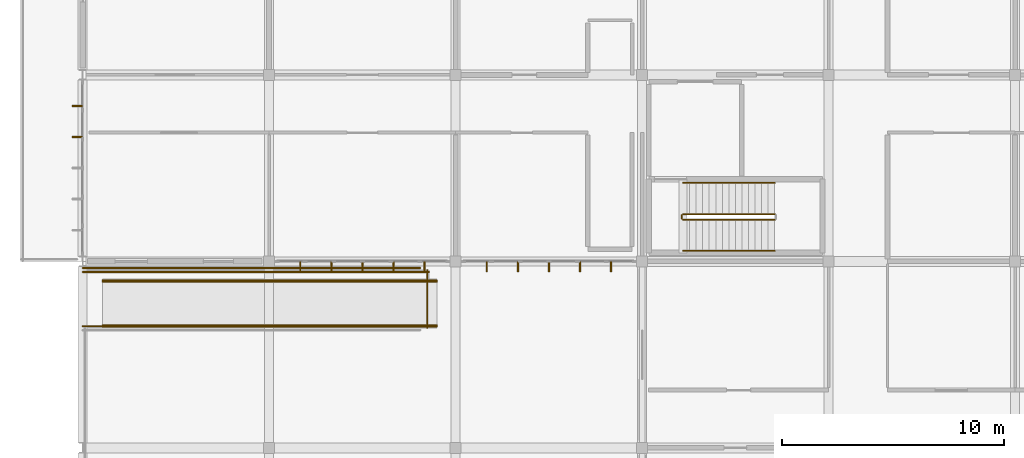
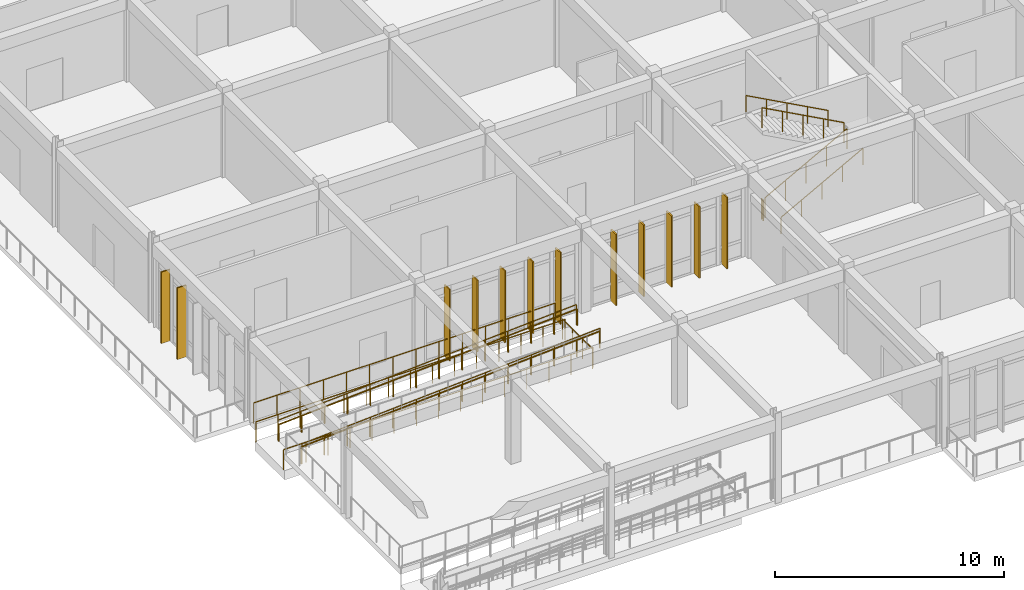
# One storey, part 116 of 138: 13 railings, 12 shading devices.
"""IFC4 building model written with IfcOpenShell, lengths in metres."""

from ifc_helpers import new_model, si_unit, direction, frame, origin, origin_2d, place, context, subcontext, project, spatial, rectangle, circle, extrude, material, material_profile, profile_set, type_object, element, save


model = new_model("IFC4")

# Units and contexts
model_context = context("Model", 3, precision=1e-05, world=origin(), true_north=direction((0.0, 1.0)))
body_context = subcontext(model_context, "Body", "Model", "MODEL_VIEW")
ifc_project = project(units=[si_unit("LENGTHUNIT", "METRE"), si_unit("AREAUNIT", "SQUARE_METRE"), si_unit("VOLUMEUNIT", "CUBIC_METRE"), si_unit("PLANEANGLEUNIT", "RADIAN"), si_unit("MASSUNIT", "GRAM", prefix="KILO")], contexts=[model_context])

# Site, building, storey
site_placement = place(None, origin())
site = spatial("IfcSite", under=ifc_project, at=site_placement, CompositionType="ELEMENT")
building_placement = place(site_placement, origin())
building = spatial("IfcBuilding", under=site, at=building_placement, Name="Bramfleet General Hospital", CompositionType="ELEMENT")
storey_placement = place(building_placement, origin())
storey = spatial("IfcBuildingStorey", under=building, at=storey_placement, Name="L00", CompositionType="ELEMENT", Elevation=0.0)

# Railings
ifc_material_1 = material(Name="Stainless steel 1.4401 safety balustrade", Category="steel")
railing_type_1 = type_object("IfcRailingType", Name="RAIL-EXT-GUARD", PredefinedType="GUARDRAIL", material=ifc_material_1)
railing_1_placement = place(storey_placement, frame((15.199951171875, 16.5, 0.0)))
element("IfcRailing", 1, at=railing_1_placement, inside=storey, type_object=railing_type_1, Name="L00 Flood-Plinth Guard 228", PredefinedType="GUARDRAIL", context=body_context, shape_type="SweptSolid", body=[
    extrude(circle(Radius=0.02392578125, at=origin_2d()), frame((0.0, 0.0, 1.076171875), z_axis=(-1.0, 0.0, 0.0), x_axis=(0.0, -1.0, 0.0)), (0.0, 0.0, 1.0), 15.199951171875),
    extrude(circle(Radius=0.02099609375, at=origin_2d()), origin(), (0.0, 0.0, 1.0), 1.052001953125),
    extrude(circle(Radius=0.02099609375, at=origin_2d()), frame((-1.169189453125, 0.0, 0.0)), (0.0, 0.0, 1.0), 1.052001953125),
    extrude(circle(Radius=0.02099609375, at=origin_2d()), frame((-2.33837890625, 0.0, 0.0)), (0.0, 0.0, 1.0), 1.052001953125),
    extrude(circle(Radius=0.02099609375, at=origin_2d()), frame((-3.507568359375, 0.0, 0.0)), (0.0, 0.0, 1.0), 1.052001953125),
    extrude(circle(Radius=0.02099609375, at=origin_2d()), frame((-4.677001953125, 0.0, 0.0)), (0.0, 0.0, 1.0), 1.052001953125),
    extrude(circle(Radius=0.02099609375, at=origin_2d()), frame((-5.84619140625, 0.0, 0.0)), (0.0, 0.0, 1.0), 1.052001953125),
    extrude(circle(Radius=0.02099609375, at=origin_2d()), frame((-7.015380859375, 0.0, 0.0)), (0.0, 0.0, 1.0), 1.052001953125),
    extrude(circle(Radius=0.02099609375, at=origin_2d()), frame((-8.1845703125, 0.0, 0.0)), (0.0, 0.0, 1.0), 1.052001953125),
    extrude(circle(Radius=0.02099609375, at=origin_2d()), frame((-9.353759765625, 0.0, 0.0)), (0.0, 0.0, 1.0), 1.052001953125),
    extrude(circle(Radius=0.02099609375, at=origin_2d()), frame((-10.52294921875, 0.0, 0.0)), (0.0, 0.0, 1.0), 1.052001953125),
    extrude(circle(Radius=0.02099609375, at=origin_2d()), frame((-11.6923828125, 0.0, 0.0)), (0.0, 0.0, 1.0), 1.052001953125),
    extrude(circle(Radius=0.02099609375, at=origin_2d()), frame((-12.861572265625, 0.0, 0.0)), (0.0, 0.0, 1.0), 1.052001953125),
    extrude(circle(Radius=0.02099609375, at=origin_2d()), frame((-14.03076171875, 0.0, 0.0)), (0.0, 0.0, 1.0), 1.052001953125),
    extrude(circle(Radius=0.02099609375, at=origin_2d()), frame((-15.199951171875, 0.0, 0.0)), (0.0, 0.0, 1.0), 1.052001953125),
])
railing_2_placement = place(storey_placement, frame((0.0, 13.8798828125, -0.89990234375)))
element("IfcRailing", 2, at=railing_2_placement, inside=storey, type_object=railing_type_1, Name="Ramp Pocket Guard 4.253", PredefinedType="GUARDRAIL", context=body_context, shape_type="SweptSolid", body=[
    extrude(circle(Radius=0.02392578125, at=origin_2d()), frame((0.0, 0.0, 1.076171875), z_axis=(1.0, 0.0, 0.0), x_axis=(0.0, 1.0, 0.0)), (0.0, 0.0, 1.0), 15.60009765625),
    extrude(circle(Radius=0.02099609375, at=origin_2d()), origin(), (0.0, 0.0, 1.0), 1.052001953125),
    extrude(circle(Radius=0.02099609375, at=origin_2d()), frame((1.1142578125, 0.0, 0.0)), (0.0, 0.0, 1.0), 1.052001953125),
    extrude(circle(Radius=0.02099609375, at=origin_2d()), frame((2.228515625, 0.0, 0.0)), (0.0, 0.0, 1.0), 1.052001953125),
    extrude(circle(Radius=0.02099609375, at=origin_2d()), frame((3.3427734375, 0.0, 0.0)), (0.0, 0.0, 1.0), 1.052001953125),
    extrude(circle(Radius=0.02099609375, at=origin_2d()), frame((4.457275390625, 0.0, 0.0)), (0.0, 0.0, 1.0), 1.052001953125),
    extrude(circle(Radius=0.02099609375, at=origin_2d()), frame((5.571533203125, 0.0, 0.0)), (0.0, 0.0, 1.0), 1.052001953125),
    extrude(circle(Radius=0.02099609375, at=origin_2d()), frame((6.685791015625, 0.0, 0.0)), (0.0, 0.0, 1.0), 1.052001953125),
    extrude(circle(Radius=0.02099609375, at=origin_2d()), frame((7.800048828125, 0.0, 0.0)), (0.0, 0.0, 1.0), 1.052001953125),
    extrude(circle(Radius=0.02099609375, at=origin_2d()), frame((8.914306640625, 0.0, 0.0)), (0.0, 0.0, 1.0), 1.052001953125),
    extrude(circle(Radius=0.02099609375, at=origin_2d()), frame((10.028564453125, 0.0, 0.0)), (0.0, 0.0, 1.0), 1.052001953125),
    extrude(circle(Radius=0.02099609375, at=origin_2d()), frame((11.142822265625, 0.0, 0.0)), (0.0, 0.0, 1.0), 1.052001953125),
    extrude(circle(Radius=0.02099609375, at=origin_2d()), frame((12.25732421875, 0.0, 0.0)), (0.0, 0.0, 1.0), 1.052001953125),
    extrude(circle(Radius=0.02099609375, at=origin_2d()), frame((13.37158203125, 0.0, 0.0)), (0.0, 0.0, 1.0), 1.052001953125),
    extrude(circle(Radius=0.02099609375, at=origin_2d()), frame((14.48583984375, 0.0, 0.0)), (0.0, 0.0, 1.0), 1.052001953125),
    extrude(circle(Radius=0.02099609375, at=origin_2d()), frame((15.60009765625, 0.0, 0.0)), (0.0, 0.0, 1.0), 1.052001953125),
])
railing_3_placement = place(storey_placement, frame((15.52001953125, 13.800048828125, -0.89990234375)))
element("IfcRailing", 3, at=railing_3_placement, inside=storey, type_object=railing_type_1, Name="Ramp Pocket Guard 4.254", PredefinedType="GUARDRAIL", context=body_context, shape_type="SweptSolid", body=[
    extrude(circle(Radius=0.02392578125, at=origin_2d()), frame((0.0, 0.0, 1.076171875), z_axis=(0.0, 1.0, 0.0), x_axis=(-1.0, 0.0, 0.0)), (0.0, 0.0, 1.0), 2.599853515625),
    extrude(circle(Radius=0.02099609375, at=origin_2d()), origin(), (0.0, 0.0, 1.0), 1.052001953125),
    extrude(circle(Radius=0.02099609375, at=origin_2d()), frame((0.0, 0.86669921875, 0.0)), (0.0, 0.0, 1.0), 1.052001953125),
    extrude(circle(Radius=0.02099609375, at=origin_2d()), frame((0.0, 1.733154296875, 0.0)), (0.0, 0.0, 1.0), 1.052001953125),
    extrude(circle(Radius=0.02099609375, at=origin_2d()), frame((0.0, 2.599853515625, 0.0)), (0.0, 0.0, 1.0), 1.052001953125),
])
railing_4_placement = place(storey_placement, frame((15.60009765625, 16.320068359375, -0.89990234375)))
element("IfcRailing", 4, at=railing_4_placement, inside=storey, type_object=railing_type_1, Name="Ramp Pocket Guard 4.255", PredefinedType="GUARDRAIL", context=body_context, shape_type="SweptSolid", body=[
    extrude(circle(Radius=0.02392578125, at=origin_2d()), frame((0.0, 0.0, 1.076171875), z_axis=(-1.0, 0.0, 0.0), x_axis=(0.0, -1.0, 0.0)), (0.0, 0.0, 1.0), 15.60009765625),
    extrude(circle(Radius=0.02099609375, at=origin_2d()), origin(), (0.0, 0.0, 1.0), 1.052001953125),
    extrude(circle(Radius=0.02099609375, at=origin_2d()), frame((-1.1142578125, 0.0, 0.0)), (0.0, 0.0, 1.0), 1.052001953125),
    extrude(circle(Radius=0.02099609375, at=origin_2d()), frame((-2.228515625, 0.0, 0.0)), (0.0, 0.0, 1.0), 1.052001953125),
    extrude(circle(Radius=0.02099609375, at=origin_2d()), frame((-3.3427734375, 0.0, 0.0)), (0.0, 0.0, 1.0), 1.052001953125),
    extrude(circle(Radius=0.02099609375, at=origin_2d()), frame((-4.457275390625, 0.0, 0.0)), (0.0, 0.0, 1.0), 1.052001953125),
    extrude(circle(Radius=0.02099609375, at=origin_2d()), frame((-5.571533203125, 0.0, 0.0)), (0.0, 0.0, 1.0), 1.052001953125),
    extrude(circle(Radius=0.02099609375, at=origin_2d()), frame((-6.685791015625, 0.0, 0.0)), (0.0, 0.0, 1.0), 1.052001953125),
    extrude(circle(Radius=0.02099609375, at=origin_2d()), frame((-7.800048828125, 0.0, 0.0)), (0.0, 0.0, 1.0), 1.052001953125),
    extrude(circle(Radius=0.02099609375, at=origin_2d()), frame((-8.914306640625, 0.0, 0.0)), (0.0, 0.0, 1.0), 1.052001953125),
    extrude(circle(Radius=0.02099609375, at=origin_2d()), frame((-10.028564453125, 0.0, 0.0)), (0.0, 0.0, 1.0), 1.052001953125),
    extrude(circle(Radius=0.02099609375, at=origin_2d()), frame((-11.142822265625, 0.0, 0.0)), (0.0, 0.0, 1.0), 1.052001953125),
    extrude(circle(Radius=0.02099609375, at=origin_2d()), frame((-12.25732421875, 0.0, 0.0)), (0.0, 0.0, 1.0), 1.052001953125),
    extrude(circle(Radius=0.02099609375, at=origin_2d()), frame((-13.37158203125, 0.0, 0.0)), (0.0, 0.0, 1.0), 1.052001953125),
    extrude(circle(Radius=0.02099609375, at=origin_2d()), frame((-14.48583984375, 0.0, 0.0)), (0.0, 0.0, 1.0), 1.052001953125),
    extrude(circle(Radius=0.02099609375, at=origin_2d()), frame((-15.60009765625, 0.0, 0.0)), (0.0, 0.0, 1.0), 1.052001953125),
])
railing_5_placement = place(storey_placement, frame((0.89990234375, 13.860107421875, -0.89990234375)))
element("IfcRailing", 5, at=railing_5_placement, inside=storey, type_object=railing_type_1, Name="Emergency Pedestrian Plinth Ramp Guardrail R", PredefinedType="GUARDRAIL", context=body_context, shape_type="SweptSolid", body=[
    extrude(circle(Radius=0.02392578125, at=origin_2d()), frame((0.0, 0.0, 1.076171875), z_axis=(0.998217119233, 0.0, 0.059687376129), x_axis=(0.0, 1.0, 0.0)), (0.0, 0.0, 1.0), 15.076904296875),
    extrude(circle(Radius=0.02099609375, at=origin_2d()), origin(), (0.0, 0.0, 1.0), 1.052001953125),
    extrude(circle(Radius=0.02099609375, at=origin_2d()), frame((1.15771484375, 0.0, 0.0693359375)), (0.0, 0.0, 1.0), 1.052001953125),
    extrude(circle(Radius=0.02099609375, at=origin_2d()), frame((2.3154296875, 0.0, 0.138427734375)), (0.0, 0.0, 1.0), 1.052001953125),
    extrude(circle(Radius=0.02099609375, at=origin_2d()), frame((3.47314453125, 0.0, 0.207763671875)), (0.0, 0.0, 1.0), 1.052001953125),
    extrude(circle(Radius=0.02099609375, at=origin_2d()), frame((4.630859375, 0.0, 0.27685546875)), (0.0, 0.0, 1.0), 1.052001953125),
    extrude(circle(Radius=0.02099609375, at=origin_2d()), frame((5.78857421875, 0.0, 0.34619140625)), (0.0, 0.0, 1.0), 1.052001953125),
    extrude(circle(Radius=0.02099609375, at=origin_2d()), frame((6.9462890625, 0.0, 0.415283203125)), (0.0, 0.0, 1.0), 1.052001953125),
    extrude(circle(Radius=0.02099609375, at=origin_2d()), frame((8.103759765625, 0.0, 0.484619140625)), (0.0, 0.0, 1.0), 1.052001953125),
    extrude(circle(Radius=0.02099609375, at=origin_2d()), frame((9.261474609375, 0.0, 0.5537109375)), (0.0, 0.0, 1.0), 1.052001953125),
    extrude(circle(Radius=0.02099609375, at=origin_2d()), frame((10.419189453125, 0.0, 0.623046875)), (0.0, 0.0, 1.0), 1.052001953125),
    extrude(circle(Radius=0.02099609375, at=origin_2d()), frame((11.576904296875, 0.0, 0.692138671875)), (0.0, 0.0, 1.0), 1.052001953125),
    extrude(circle(Radius=0.02099609375, at=origin_2d()), frame((12.734619140625, 0.0, 0.761474609375)), (0.0, 0.0, 1.0), 1.052001953125),
    extrude(circle(Radius=0.02099609375, at=origin_2d()), frame((13.892333984375, 0.0, 0.83056640625)), (0.0, 0.0, 1.0), 1.052001953125),
    extrude(circle(Radius=0.02099609375, at=origin_2d()), frame((15.050048828125, 0.0, 0.89990234375)), (0.0, 0.0, 1.0), 1.052001953125),
])
railing_6_placement = place(storey_placement, frame((0.89990234375, 15.93994140625, -0.89990234375)))
element("IfcRailing", 6, at=railing_6_placement, inside=storey, type_object=railing_type_1, Name="Emergency Pedestrian Plinth Ramp Guardrail L", PredefinedType="GUARDRAIL", context=body_context, shape_type="SweptSolid", body=[
    extrude(circle(Radius=0.02392578125, at=origin_2d()), frame((0.0, 0.0, 1.076171875), z_axis=(0.998217119233, 0.0, 0.059687376129), x_axis=(0.0, 1.0, 0.0)), (0.0, 0.0, 1.0), 15.076904296875),
    extrude(circle(Radius=0.02099609375, at=origin_2d()), origin(), (0.0, 0.0, 1.0), 1.052001953125),
    extrude(circle(Radius=0.02099609375, at=origin_2d()), frame((1.15771484375, 0.0, 0.0693359375)), (0.0, 0.0, 1.0), 1.052001953125),
    extrude(circle(Radius=0.02099609375, at=origin_2d()), frame((2.3154296875, 0.0, 0.138427734375)), (0.0, 0.0, 1.0), 1.052001953125),
    extrude(circle(Radius=0.02099609375, at=origin_2d()), frame((3.47314453125, 0.0, 0.207763671875)), (0.0, 0.0, 1.0), 1.052001953125),
    extrude(circle(Radius=0.02099609375, at=origin_2d()), frame((4.630859375, 0.0, 0.27685546875)), (0.0, 0.0, 1.0), 1.052001953125),
    extrude(circle(Radius=0.02099609375, at=origin_2d()), frame((5.78857421875, 0.0, 0.34619140625)), (0.0, 0.0, 1.0), 1.052001953125),
    extrude(circle(Radius=0.02099609375, at=origin_2d()), frame((6.9462890625, 0.0, 0.415283203125)), (0.0, 0.0, 1.0), 1.052001953125),
    extrude(circle(Radius=0.02099609375, at=origin_2d()), frame((8.103759765625, 0.0, 0.484619140625)), (0.0, 0.0, 1.0), 1.052001953125),
    extrude(circle(Radius=0.02099609375, at=origin_2d()), frame((9.261474609375, 0.0, 0.5537109375)), (0.0, 0.0, 1.0), 1.052001953125),
    extrude(circle(Radius=0.02099609375, at=origin_2d()), frame((10.419189453125, 0.0, 0.623046875)), (0.0, 0.0, 1.0), 1.052001953125),
    extrude(circle(Radius=0.02099609375, at=origin_2d()), frame((11.576904296875, 0.0, 0.692138671875)), (0.0, 0.0, 1.0), 1.052001953125),
    extrude(circle(Radius=0.02099609375, at=origin_2d()), frame((12.734619140625, 0.0, 0.761474609375)), (0.0, 0.0, 1.0), 1.052001953125),
    extrude(circle(Radius=0.02099609375, at=origin_2d()), frame((13.892333984375, 0.0, 0.83056640625)), (0.0, 0.0, 1.0), 1.052001953125),
    extrude(circle(Radius=0.02099609375, at=origin_2d()), frame((15.050048828125, 0.0, 0.89990234375)), (0.0, 0.0, 1.0), 1.052001953125),
])
ifc_material_2 = material(Name="Stainless steel 1.4401 handrail", Category="steel")
railing_type_2 = type_object("IfcRailingType", Name="RAIL-EXT-HND", PredefinedType="HANDRAIL", material=ifc_material_2)
railing_7_placement = place(storey_placement, frame((0.89990234375, 13.919921875, -0.89990234375)))
element("IfcRailing", 7, at=railing_7_placement, inside=storey, type_object=railing_type_2, Name="Emergency Pedestrian Plinth Ramp Handrail R", PredefinedType="HANDRAIL", context=body_context, shape_type="SweptSolid", body=[
    extrude(circle(Radius=0.02392578125, at=origin_2d()), frame((0.0, 0.0, 0.8759765625), z_axis=(0.998217119233, 0.0, 0.059687376129), x_axis=(0.0, 1.0, 0.0)), (0.0, 0.0, 1.0), 15.076904296875),
    extrude(circle(Radius=0.02099609375, at=origin_2d()), origin(), (0.0, 0.0, 1.0), 0.851806640625),
    extrude(circle(Radius=0.02099609375, at=origin_2d()), frame((1.15771484375, 0.0, 0.0693359375)), (0.0, 0.0, 1.0), 0.851806640625),
    extrude(circle(Radius=0.02099609375, at=origin_2d()), frame((2.3154296875, 0.0, 0.138427734375)), (0.0, 0.0, 1.0), 0.851806640625),
    extrude(circle(Radius=0.02099609375, at=origin_2d()), frame((3.47314453125, 0.0, 0.207763671875)), (0.0, 0.0, 1.0), 0.851806640625),
    extrude(circle(Radius=0.02099609375, at=origin_2d()), frame((4.630859375, 0.0, 0.27685546875)), (0.0, 0.0, 1.0), 0.851806640625),
    extrude(circle(Radius=0.02099609375, at=origin_2d()), frame((5.78857421875, 0.0, 0.34619140625)), (0.0, 0.0, 1.0), 0.851806640625),
    extrude(circle(Radius=0.02099609375, at=origin_2d()), frame((6.9462890625, 0.0, 0.415283203125)), (0.0, 0.0, 1.0), 0.851806640625),
    extrude(circle(Radius=0.02099609375, at=origin_2d()), frame((8.103759765625, 0.0, 0.484619140625)), (0.0, 0.0, 1.0), 0.851806640625),
    extrude(circle(Radius=0.02099609375, at=origin_2d()), frame((9.261474609375, 0.0, 0.5537109375)), (0.0, 0.0, 1.0), 0.851806640625),
    extrude(circle(Radius=0.02099609375, at=origin_2d()), frame((10.419189453125, 0.0, 0.623046875)), (0.0, 0.0, 1.0), 0.851806640625),
    extrude(circle(Radius=0.02099609375, at=origin_2d()), frame((11.576904296875, 0.0, 0.692138671875)), (0.0, 0.0, 1.0), 0.851806640625),
    extrude(circle(Radius=0.02099609375, at=origin_2d()), frame((12.734619140625, 0.0, 0.761474609375)), (0.0, 0.0, 1.0), 0.851806640625),
    extrude(circle(Radius=0.02099609375, at=origin_2d()), frame((13.892333984375, 0.0, 0.83056640625)), (0.0, 0.0, 1.0), 0.851806640625),
    extrude(circle(Radius=0.02099609375, at=origin_2d()), frame((15.050048828125, 0.0, 0.89990234375)), (0.0, 0.0, 1.0), 0.851806640625),
])
railing_8_placement = place(storey_placement, frame((0.89990234375, 15.8798828125, -0.89990234375)))
element("IfcRailing", 8, at=railing_8_placement, inside=storey, type_object=railing_type_2, Name="Emergency Pedestrian Plinth Ramp Handrail L", PredefinedType="HANDRAIL", context=body_context, shape_type="SweptSolid", body=[
    extrude(circle(Radius=0.02392578125, at=origin_2d()), frame((0.0, 0.0, 0.8759765625), z_axis=(0.998217119233, 0.0, 0.059687376129), x_axis=(0.0, 1.0, 0.0)), (0.0, 0.0, 1.0), 15.076904296875),
    extrude(circle(Radius=0.02099609375, at=origin_2d()), origin(), (0.0, 0.0, 1.0), 0.851806640625),
    extrude(circle(Radius=0.02099609375, at=origin_2d()), frame((1.15771484375, 0.0, 0.0693359375)), (0.0, 0.0, 1.0), 0.851806640625),
    extrude(circle(Radius=0.02099609375, at=origin_2d()), frame((2.3154296875, 0.0, 0.138427734375)), (0.0, 0.0, 1.0), 0.851806640625),
    extrude(circle(Radius=0.02099609375, at=origin_2d()), frame((3.47314453125, 0.0, 0.207763671875)), (0.0, 0.0, 1.0), 0.851806640625),
    extrude(circle(Radius=0.02099609375, at=origin_2d()), frame((4.630859375, 0.0, 0.27685546875)), (0.0, 0.0, 1.0), 0.851806640625),
    extrude(circle(Radius=0.02099609375, at=origin_2d()), frame((5.78857421875, 0.0, 0.34619140625)), (0.0, 0.0, 1.0), 0.851806640625),
    extrude(circle(Radius=0.02099609375, at=origin_2d()), frame((6.9462890625, 0.0, 0.415283203125)), (0.0, 0.0, 1.0), 0.851806640625),
    extrude(circle(Radius=0.02099609375, at=origin_2d()), frame((8.103759765625, 0.0, 0.484619140625)), (0.0, 0.0, 1.0), 0.851806640625),
    extrude(circle(Radius=0.02099609375, at=origin_2d()), frame((9.261474609375, 0.0, 0.5537109375)), (0.0, 0.0, 1.0), 0.851806640625),
    extrude(circle(Radius=0.02099609375, at=origin_2d()), frame((10.419189453125, 0.0, 0.623046875)), (0.0, 0.0, 1.0), 0.851806640625),
    extrude(circle(Radius=0.02099609375, at=origin_2d()), frame((11.576904296875, 0.0, 0.692138671875)), (0.0, 0.0, 1.0), 0.851806640625),
    extrude(circle(Radius=0.02099609375, at=origin_2d()), frame((12.734619140625, 0.0, 0.761474609375)), (0.0, 0.0, 1.0), 0.851806640625),
    extrude(circle(Radius=0.02099609375, at=origin_2d()), frame((13.892333984375, 0.0, 0.83056640625)), (0.0, 0.0, 1.0), 0.851806640625),
    extrude(circle(Radius=0.02099609375, at=origin_2d()), frame((15.050048828125, 0.0, 0.89990234375)), (0.0, 0.0, 1.0), 0.851806640625),
])
ifc_material_3 = material(Name="Powder-coated steel stair balustrade", Category="steel")
railing_type_3 = type_object("IfcRailingType", Name="RAIL-ST-GUARD", PredefinedType="GUARDRAIL", material=ifc_material_3)
railing_9_placement = place(storey_placement, frame((27.0400390625, 18.669921875, 0.159912109375)))
element("IfcRailing", 9, at=railing_9_placement, inside=storey, type_object=railing_type_3, Name="L00 ST-C7 stair guard 1", PredefinedType="GUARDRAIL", context=body_context, shape_type="SweptSolid", body=[
    extrude(circle(Radius=0.02392578125, at=origin_2d()), frame((0.0, 0.0, 1.076171875), z_axis=(0.879027057179, 0.0, 0.476771887539), x_axis=(0.0, 1.0, 0.0)), (0.0, 0.0, 1.0), 4.6982421875),
    extrude(circle(Radius=0.02099609375, at=origin_2d()), origin(), (0.0, 0.0, 1.0), 1.052001953125),
    extrude(circle(Radius=0.02099609375, at=origin_2d()), frame((1.032470703125, 0.0, 0.56005859375)), (0.0, 0.0, 1.0), 1.052001953125),
    extrude(circle(Radius=0.02099609375, at=origin_2d()), frame((2.06494140625, 0.0, 1.1201171875)), (0.0, 0.0, 1.0), 1.052001953125),
    extrude(circle(Radius=0.02099609375, at=origin_2d()), frame((3.097412109375, 0.0, 1.679931640625)), (0.0, 0.0, 1.0), 1.052001953125),
    extrude(circle(Radius=0.02099609375, at=origin_2d()), frame((4.1298828125, 0.0, 2.239990234375)), (0.0, 0.0, 1.0), 1.052001953125),
])
railing_10_placement = place(storey_placement, frame((31.169921875, 18.929931640625, 2.56005859375)))
element("IfcRailing", 10, at=railing_10_placement, inside=storey, type_object=railing_type_3, Name="L00 ST-C7 stair guard 3", PredefinedType="GUARDRAIL", context=body_context, shape_type="SweptSolid", body=[
    extrude(circle(Radius=0.02392578125, at=origin_2d()), frame((0.0, 0.0, 1.076171875), z_axis=(-0.879027057179, 0.0, 0.476771887539), x_axis=(0.0, -1.0, 0.0)), (0.0, 0.0, 1.0), 4.6982421875),
    extrude(circle(Radius=0.02099609375, at=origin_2d()), origin(), (0.0, 0.0, 1.0), 1.052001953125),
    extrude(circle(Radius=0.02099609375, at=origin_2d()), frame((-1.032470703125, 0.0, 0.56005859375)), (0.0, 0.0, 1.0), 1.052001953125),
    extrude(circle(Radius=0.02099609375, at=origin_2d()), frame((-2.06494140625, 0.0, 1.1201171875)), (0.0, 0.0, 1.0), 1.052001953125),
    extrude(circle(Radius=0.02099609375, at=origin_2d()), frame((-3.097412109375, 0.0, 1.679931640625)), (0.0, 0.0, 1.0), 1.052001953125),
    extrude(circle(Radius=0.02099609375, at=origin_2d()), frame((-4.1298828125, 0.0, 2.239990234375)), (0.0, 0.0, 1.0), 1.052001953125),
])
railing_11_placement = place(storey_placement, frame((26.989990234375, 18.719970703125, 0.0)))
element("IfcRailing", 11, at=railing_11_placement, inside=storey, type_object=railing_type_3, Name="L00 ST-C7 stair guard 4", PredefinedType="GUARDRAIL", context=body_context, shape_type="SweptSolid", body=[
    extrude(circle(Radius=0.02392578125, at=origin_2d()), frame((0.0, 0.0, 1.076171875), z_axis=(0.0, 1.0, 0.0), x_axis=(-1.0, 0.0, 0.0)), (0.0, 0.0, 1.0), 0.159912109375),
    extrude(circle(Radius=0.02099609375, at=origin_2d()), origin(), (0.0, 0.0, 1.0), 1.052001953125),
    extrude(circle(Radius=0.02099609375, at=origin_2d()), frame((0.0, 0.159912109375, 0.0)), (0.0, 0.0, 1.0), 1.052001953125),
])
ifc_material_4 = material(Name="Stainless steel 1.4301 stair handrail", Category="steel")
railing_type_4 = type_object("IfcRailingType", Name="RAIL-ST-HND", PredefinedType="HANDRAIL", material=ifc_material_4)
railing_12_placement = place(storey_placement, frame((27.0400390625, 17.27001953125, 0.159912109375)))
element("IfcRailing", 12, at=railing_12_placement, inside=storey, type_object=railing_type_4, Name="L00 ST-C7 stair handrail 1", PredefinedType="HANDRAIL", context=body_context, shape_type="SweptSolid", body=[
    extrude(circle(Radius=0.02392578125, at=origin_2d()), frame((0.0, 0.0, 0.8759765625), z_axis=(0.879027057179, 0.0, 0.476771887539), x_axis=(0.0, 1.0, 0.0)), (0.0, 0.0, 1.0), 4.6982421875),
    extrude(circle(Radius=0.02099609375, at=origin_2d()), origin(), (0.0, 0.0, 1.0), 0.851806640625),
    extrude(circle(Radius=0.02099609375, at=origin_2d()), frame((1.032470703125, 0.0, 0.56005859375)), (0.0, 0.0, 1.0), 0.851806640625),
    extrude(circle(Radius=0.02099609375, at=origin_2d()), frame((2.06494140625, 0.0, 1.1201171875)), (0.0, 0.0, 1.0), 0.851806640625),
    extrude(circle(Radius=0.02099609375, at=origin_2d()), frame((3.097412109375, 0.0, 1.679931640625)), (0.0, 0.0, 1.0), 0.851806640625),
    extrude(circle(Radius=0.02099609375, at=origin_2d()), frame((4.1298828125, 0.0, 2.239990234375)), (0.0, 0.0, 1.0), 0.851806640625),
])
railing_13_placement = place(storey_placement, frame((31.169921875, 20.330078125, 2.56005859375)))
element("IfcRailing", 13, at=railing_13_placement, inside=storey, type_object=railing_type_4, Name="L00 ST-C7 stair handrail 2", PredefinedType="HANDRAIL", context=body_context, shape_type="SweptSolid", body=[
    extrude(circle(Radius=0.02392578125, at=origin_2d()), frame((0.0, 0.0, 0.8759765625), z_axis=(-0.879027057179, 0.0, 0.476771887539), x_axis=(0.0, -1.0, 0.0)), (0.0, 0.0, 1.0), 4.6982421875),
    extrude(circle(Radius=0.02099609375, at=origin_2d()), origin(), (0.0, 0.0, 1.0), 0.851806640625),
    extrude(circle(Radius=0.02099609375, at=origin_2d()), frame((-1.032470703125, 0.0, 0.56005859375)), (0.0, 0.0, 1.0), 0.851806640625),
    extrude(circle(Radius=0.02099609375, at=origin_2d()), frame((-2.06494140625, 0.0, 1.1201171875)), (0.0, 0.0, 1.0), 0.851806640625),
    extrude(circle(Radius=0.02099609375, at=origin_2d()), frame((-3.097412109375, 0.0, 1.679931640625)), (0.0, 0.0, 1.0), 0.851806640625),
    extrude(circle(Radius=0.02099609375, at=origin_2d()), frame((-4.1298828125, 0.0, 2.239990234375)), (0.0, 0.0, 1.0), 0.851806640625),
])

# Shading devices
ifc_material_5 = material(Name="Treated European larch timber", Category="wood")
ifc_material_profile = material_profile(ifc_material_5, rectangle(XDim=0.06494140625, YDim=0.449951171875, at=origin_2d()), Name="LARCH FIN 450x65")
ifc_profile_set = profile_set([ifc_material_profile], Name="Treated European larch timber")
shading_device_type = type_object("IfcShadingDeviceType", Name="SHD-FIN-450", PredefinedType="USERDEFINED", material=ifc_profile_set)
for number, where, z_axis, x_axis, name in (
    (14, (23.800048828125, 16.56005859375, -0.02001953125), (0.0, 0.0, 1.0), (-1.0, 0.0, 0.0), "L00 Larch Timber Shading Fin 144"),
    (15, (22.39990234375, 16.56005859375, -0.02001953125), (0.0, 0.0, 1.0), (-1.0, 0.0, 0.0), "L00 Larch Timber Shading Fin 145"),
    (16, (21.0, 16.56005859375, -0.02001953125), (0.0, 0.0, 1.0), (-1.0, 0.0, 0.0), "L00 Larch Timber Shading Fin 146"),
    (17, (19.60009765625, 16.56005859375, -0.02001953125), (0.0, 0.0, 1.0), (-1.0, 0.0, 0.0), "L00 Larch Timber Shading Fin 147"),
    (18, (18.199951171875, 16.56005859375, -0.02001953125), (0.0, 0.0, 1.0), (-1.0, 0.0, 0.0), "L00 Larch Timber Shading Fin 148"),
    (19, (15.39990234375, 16.56005859375, -0.02001953125), (0.0, 0.0, 1.0), (-1.0, 0.0, 0.0), "L00 Larch Timber Shading Fin 149"),
    (20, (14.0, 16.56005859375, -0.02001953125), (0.0, 0.0, 1.0), (-1.0, 0.0, 0.0), "L00 Larch Timber Shading Fin 150"),
    (21, (12.60009765625, 16.56005859375, -0.02001953125), (0.0, 0.0, 1.0), (-1.0, 0.0, 0.0), "L00 Larch Timber Shading Fin 151"),
    (22, (11.199951171875, 16.56005859375, -0.02001953125), (0.0, 0.0, 1.0), (-1.0, 0.0, 0.0), "L00 Larch Timber Shading Fin 152"),
    (23, (9.800048828125, 16.56005859375, -0.02001953125), (0.0, 0.0, 1.0), (-1.0, 0.0, 0.0), "L00 Larch Timber Shading Fin 153"),
    (24, (-0.239990234375, 22.39990234375, -0.02001953125), (0.0, 0.0, 1.0), (0.0, 1.0, 0.0), "L00 Larch Timber Shading Fin 157"),
    (25, (-0.239990234375, 23.800048828125, -0.02001953125), (0.0, 0.0, 1.0), (0.0, 1.0, 0.0), "L00 Larch Timber Shading Fin 158"),
):
    element("IfcShadingDevice", number, at=place(storey_placement, frame(where, z_axis=z_axis, x_axis=x_axis)), inside=storey, type_object=shading_device_type, Name=name, ObjectType="Fin", PredefinedType="USERDEFINED", context=body_context, shape_type="SweptSolid", body=[
        extrude(rectangle(XDim=0.06494140625, YDim=0.449951171875, at=origin_2d()), origin(), (0.0, 0.0, 1.0), 3.820068359375),
    ])

save(model, "model.ifc")
